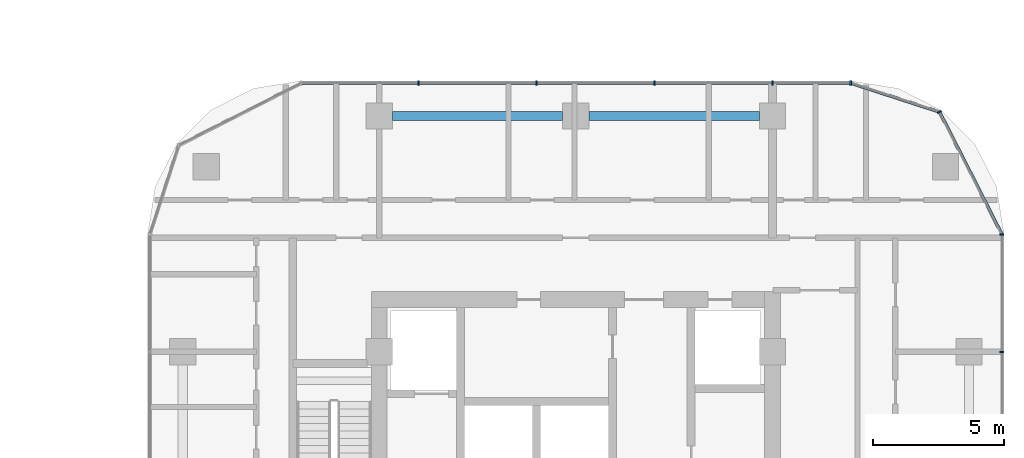
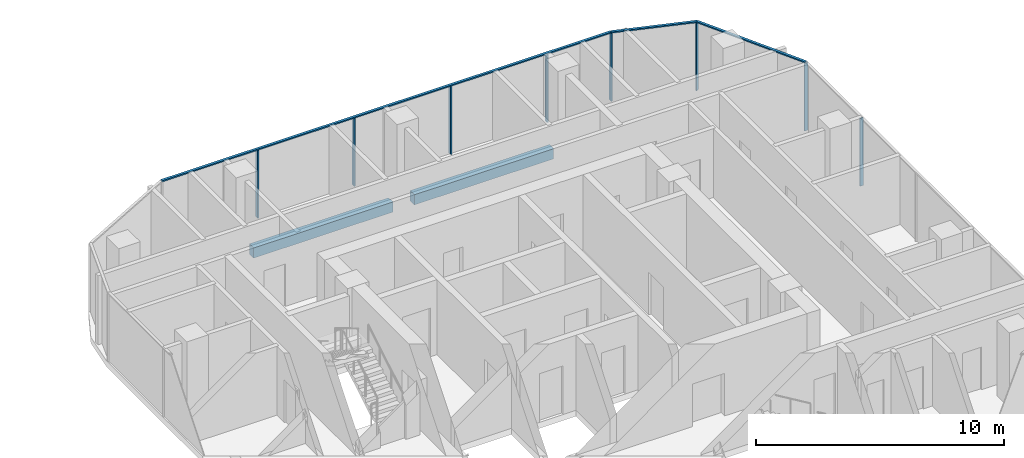
# One storey, part 13 of 36: 11 members, 2 beams, 3 elements without a shape of their own.
"""IFC4 building model written with IfcOpenShell, lengths in metres."""

from ifc_helpers import new_model, si_unit, direction, frame, origin, origin_2d, place, context, subcontext, project, spatial, rectangle, extrude, material, material_profile, profile_set, type_object, element, aggregate, save


model = new_model("IFC4")

# Units and contexts
model_context = context("Model", 3, precision=1e-05, world=origin(), true_north=direction((0.0, 1.0)))
body_context = subcontext(model_context, "Body", "Model", "MODEL_VIEW")
ifc_project = project(units=[si_unit("LENGTHUNIT", "METRE"), si_unit("AREAUNIT", "SQUARE_METRE"), si_unit("VOLUMEUNIT", "CUBIC_METRE"), si_unit("PLANEANGLEUNIT", "RADIAN"), si_unit("MASSUNIT", "GRAM", prefix="KILO")], contexts=[model_context])

# Site, building, storey
site_placement = place(None, origin())
site = spatial("IfcSite", under=ifc_project, at=site_placement, CompositionType="ELEMENT")
building_placement = place(site_placement, origin())
building = spatial("IfcBuilding", under=site, at=building_placement, Name="Ogive Portal Towers", CompositionType="ELEMENT")
storey_placement = place(building_placement, frame((0.0, 0.0, 48.300048828125)))
storey = spatial("IfcBuildingStorey", under=building, at=storey_placement, Name="L10", CompositionType="ELEMENT", Elevation=48.300048828125)

# Curtain wall, members
ifc_material_1 = material(Name="Glass, clear low-iron insulated glazing", Category="glass")
curtain_wall_type = type_object("IfcCurtainWallType", Name="CW RESIDENCES RIBBON", PredefinedType="NOTDEFINED", material=ifc_material_1)
curtain_wall_1_placement = place(storey_placement, origin())
curtain_wall_1 = element("IfcCurtainWall", 1, at=curtain_wall_1_placement, inside=storey, type_object=curtain_wall_type, Name="B:L10:f05:cw0", PredefinedType="NOTDEFINED")
ifc_material_2 = material(Name="Aluminium 6063 anodised", Category="aluminium")
ifc_material_profile_1 = material_profile(ifc_material_2, rectangle(XDim=0.159912109375, YDim=0.06005859375, at=origin_2d()), Name="AL 60x160")
ifc_profile_set_1 = profile_set([ifc_material_profile_1], Name="Aluminium 6063 anodised")
member_type_1 = type_object("IfcMemberType", Name="CW MULLION 60x160", PredefinedType="MULLION", material=ifc_profile_set_1)
member_1_placement = place(storey_placement, frame((152.7548828125, 35.5, 0.0), z_axis=(0.0, 0.0, 1.0), x_axis=(-1.0, 0.0, 0.0)))
member_1 = element("IfcMember", 2, at=member_1_placement, type_object=member_type_1, Name="mullion", PredefinedType="MULLION", context=body_context, shape_type="SweptSolid", body=[
    extrude(rectangle(XDim=0.159912109375, YDim=0.06005859375, at=origin_2d()), origin(), (0.0, 0.0, 1.0), 3.33984375),
])
member_2_placement = place(storey_placement, frame((152.7548828125, 39.980712890625, 0.0), z_axis=(0.0, 0.0, 1.0), x_axis=(-1.0, 0.0, 0.0)))
member_2 = element("IfcMember", 3, at=member_2_placement, type_object=member_type_1, Name="mullion", PredefinedType="MULLION", context=body_context, shape_type="SweptSolid", body=[
    extrude(rectangle(XDim=0.159912109375, YDim=0.06005859375, at=origin_2d()), origin(), (0.0, 0.0, 1.0), 3.33984375),
])
aggregate(curtain_wall_1, [member_1, member_2])

curtain_wall_2_placement = place(storey_placement, origin())
curtain_wall_2 = element("IfcCurtainWall", 4, at=curtain_wall_2_placement, inside=storey, type_object=curtain_wall_type, Name="B:L10:f08:cw0", PredefinedType="NOTDEFINED")
member_3_placement = place(storey_placement, frame((146.9873046875, 45.7548828125, 0.0), z_axis=(0.0, 0.0, 1.0), x_axis=(0.0, -1.0, 0.0)))
member_3 = element("IfcMember", 5, at=member_3_placement, type_object=member_type_1, Name="mullion", PredefinedType="MULLION", context=body_context, shape_type="SweptSolid", body=[
    extrude(rectangle(XDim=0.159912109375, YDim=0.06005859375, at=origin_2d()), origin(), (0.0, 0.0, 1.0), 3.33984375),
])
member_4_placement = place(storey_placement, frame((144.0, 45.7548828125, 0.0), z_axis=(0.0, 0.0, 1.0), x_axis=(0.0, -1.0, 0.0)))
member_4 = element("IfcMember", 6, at=member_4_placement, type_object=member_type_1, Name="mullion", PredefinedType="MULLION", context=body_context, shape_type="SweptSolid", body=[
    extrude(rectangle(XDim=0.159912109375, YDim=0.06005859375, at=origin_2d()), origin(), (0.0, 0.0, 1.0), 3.33984375),
])
member_5_placement = place(storey_placement, frame((139.5, 45.7548828125, 0.0), z_axis=(0.0, 0.0, 1.0), x_axis=(0.0, -1.0, 0.0)))
member_5 = element("IfcMember", 7, at=member_5_placement, type_object=member_type_1, Name="mullion", PredefinedType="MULLION", context=body_context, shape_type="SweptSolid", body=[
    extrude(rectangle(XDim=0.159912109375, YDim=0.06005859375, at=origin_2d()), origin(), (0.0, 0.0, 1.0), 3.33984375),
])
member_6_placement = place(storey_placement, frame((135.0, 45.7548828125, 0.0), z_axis=(0.0, 0.0, 1.0), x_axis=(0.0, -1.0, 0.0)))
member_6 = element("IfcMember", 8, at=member_6_placement, type_object=member_type_1, Name="mullion", PredefinedType="MULLION", context=body_context, shape_type="SweptSolid", body=[
    extrude(rectangle(XDim=0.159912109375, YDim=0.06005859375, at=origin_2d()), origin(), (0.0, 0.0, 1.0), 3.33984375),
])
member_7_placement = place(storey_placement, frame((130.5, 45.7548828125, 0.0), z_axis=(0.0, 0.0, 1.0), x_axis=(0.0, -1.0, 0.0)))
member_7 = element("IfcMember", 9, at=member_7_placement, type_object=member_type_1, Name="mullion", PredefinedType="MULLION", context=body_context, shape_type="SweptSolid", body=[
    extrude(rectangle(XDim=0.159912109375, YDim=0.06005859375, at=origin_2d()), origin(), (0.0, 0.0, 1.0), 3.33984375),
])

# Curtain wall, member
curtain_wall_3_placement = place(storey_placement, origin())
curtain_wall_3 = element("IfcCurtainWall", 10, at=curtain_wall_3_placement, inside=storey, type_object=curtain_wall_type, Name="B:L10:f06:cwa", PredefinedType="NOTDEFINED")
member_8_placement = place(storey_placement, frame((150.37353515625, 44.65478515625, 0.0), z_axis=(0.0, 0.0, 1.0), x_axis=(-0.891006524188, -0.45399049974, 0.0)))
member_8 = element("IfcMember", 11, at=member_8_placement, type_object=member_type_1, Name="mullion", PredefinedType="MULLION", context=body_context, shape_type="SweptSolid", body=[
    extrude(rectangle(XDim=0.159912109375, YDim=0.06005859375, at=origin_2d()), origin(), (0.0, 0.0, 1.0), 3.33984375),
])

# Member
ifc_material_profile_2 = material_profile(ifc_material_2, rectangle(XDim=0.1201171875, YDim=0.06005859375, at=origin_2d()), Name="AL 120x60")
ifc_profile_set_2 = profile_set([ifc_material_profile_2], Name="Aluminium 6063 anodised")
member_type_2 = type_object("IfcMemberType", Name="CW TRANSOM 60x120", PredefinedType="USERDEFINED", material=ifc_profile_set_2)
member_9_placement = place(storey_placement, frame((146.9873046875, 45.7548828125, 3.369873046875), z_axis=(-1.0, 0.0, 0.0), x_axis=(0.0, -1.0, 0.0)))
member_9 = element("IfcMember", 12, at=member_9_placement, type_object=member_type_2, Name="transom", ObjectType="TRANSOM", PredefinedType="USERDEFINED", context=body_context, shape_type="SweptSolid", body=[
    extrude(rectangle(XDim=0.1201171875, YDim=0.06005859375, at=origin_2d()), origin(), (0.0, 0.0, 1.0), 20.968017578125),
])

aggregate(curtain_wall_2, [member_9, member_3, member_4, member_5, member_6, member_7])

member_10_placement = place(storey_placement, frame((152.7548828125, 39.980712890625, 3.369873046875), z_axis=(-0.453958549068, 0.891022803147, 0.0), x_axis=(-0.891022803147, -0.453958549068, 0.0)))
member_10 = element("IfcMember", 13, at=member_10_placement, type_object=member_type_2, Name="transom", ObjectType="TRANSOM", PredefinedType="USERDEFINED", context=body_context, shape_type="SweptSolid", body=[
    extrude(rectangle(XDim=0.1201171875, YDim=0.06005859375, at=origin_2d()), origin(), (0.0, 0.0, 1.0), 5.245849609375),
])

member_11_placement = place(storey_placement, frame((150.37353515625, 44.65478515625, 3.369873046875), z_axis=(-0.951069336097, 0.308977536298, 0.0), x_axis=(-0.308977536298, -0.951069336097, 0.0)))
member_11 = element("IfcMember", 14, at=member_11_placement, type_object=member_type_2, Name="transom", ObjectType="TRANSOM", PredefinedType="USERDEFINED", context=body_context, shape_type="SweptSolid", body=[
    extrude(rectangle(XDim=0.1201171875, YDim=0.06005859375, at=origin_2d()), origin(), (0.0, 0.0, 1.0), 3.560546875),
])

aggregate(curtain_wall_3, [member_10, member_11, member_8])

# Beams
ifc_material_3 = material(Name="Concrete C50/60", Category="concrete")
ifc_material_profile_3 = material_profile(ifc_material_3, rectangle(XDim=0.35009765625, YDim=0.5, at=origin_2d()), Name="RC 350x500")
ifc_profile_set_3 = profile_set([ifc_material_profile_3], Name="Concrete C50/60")
beam_type = type_object("IfcBeamType", Name="SPANDREL BEAM RC 350x500", PredefinedType="BEAM", material=ifc_profile_set_3)
for number, where, z_axis, x_axis, name in (
    (15, (143.5, 44.5, -0.550048828125), (-1.0, 0.0, 0.0), (0.0, -1.0, 0.0), "Spandrel beam L10"),
    (16, (136.0, 44.5, -0.550048828125), (-1.0, 0.0, 0.0), (0.0, -1.0, 0.0), "Spandrel beam L10"),
):
    element("IfcBeam", number, at=place(storey_placement, frame(where, z_axis=z_axis, x_axis=x_axis)), inside=storey, type_object=beam_type, Name=name, PredefinedType="BEAM", context=body_context, shape_type="SweptSolid", body=[
        extrude(rectangle(XDim=0.35009765625, YDim=0.5, at=origin_2d()), origin(), (0.0, 0.0, 1.0), 6.5),
    ])

save(model, "model.ifc")
